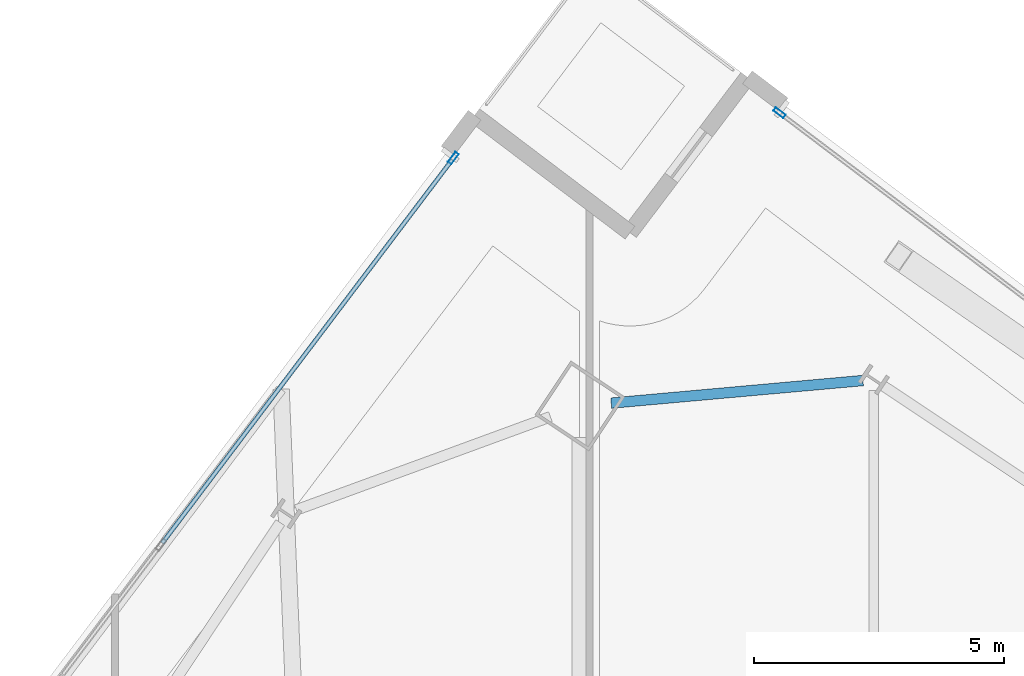
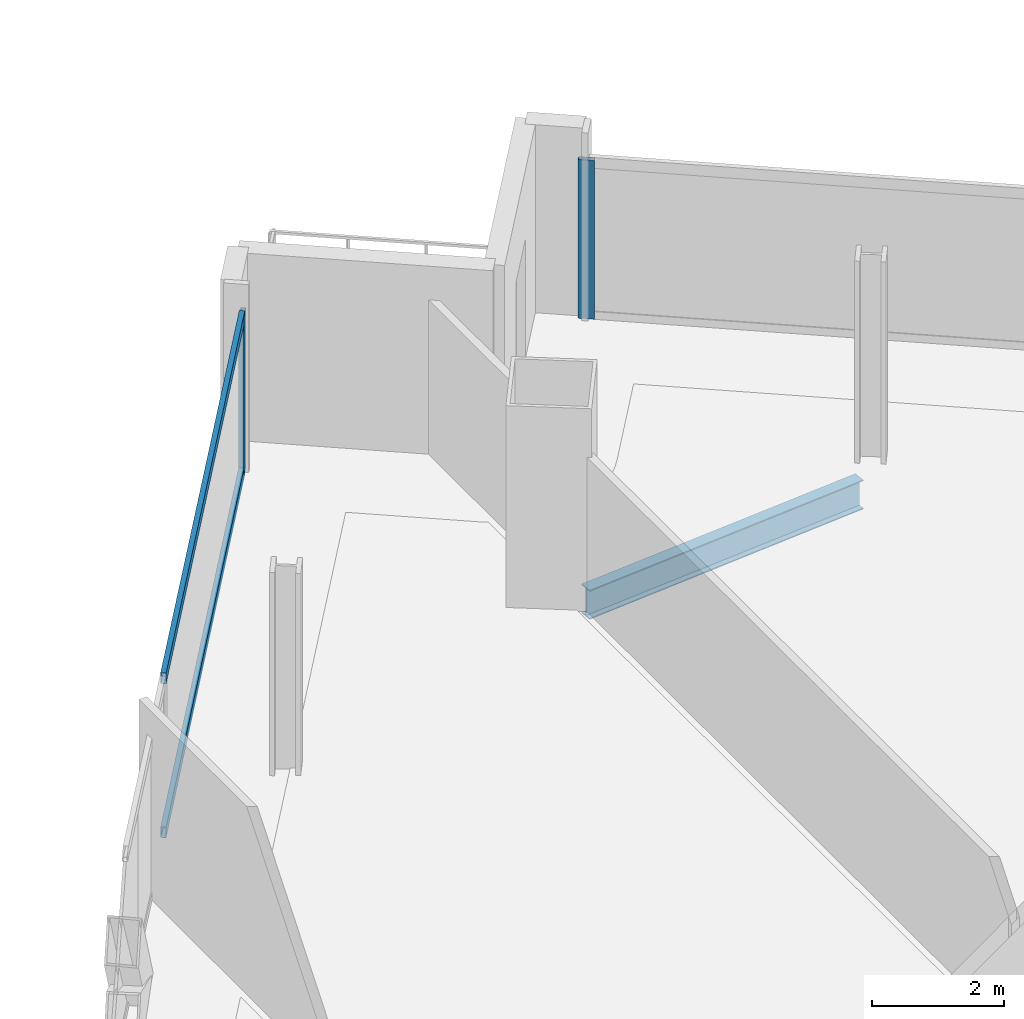
# One storey, part 20 of 34: 4 members, 1 beam, 2 elements without a shape of their own.
"""IFC4 building model written with IfcOpenShell, lengths in metres."""

from ifc_helpers import new_model, si_unit, direction, frame, origin, origin_2d, place, context, subcontext, project, spatial, hollow_rectangle, i_section, extrude, material, material_profile, profile_set, type_object, element, aggregate, save


model = new_model("IFC4")

# Units and contexts
model_context = context("Model", 3, precision=1e-05, world=origin(), true_north=direction((0.0, 1.0)))
body_context = subcontext(model_context, "Body", "Model", "MODEL_VIEW")
ifc_project = project(units=[si_unit("LENGTHUNIT", "METRE"), si_unit("AREAUNIT", "SQUARE_METRE"), si_unit("VOLUMEUNIT", "CUBIC_METRE"), si_unit("PLANEANGLEUNIT", "RADIAN"), si_unit("MASSUNIT", "GRAM", prefix="KILO")], contexts=[model_context])

# Site, building, storey
site_placement = place(None, origin())
site = spatial("IfcSite", under=ifc_project, at=site_placement, CompositionType="ELEMENT")
building_placement = place(site_placement, origin())
building = spatial("IfcBuilding", under=site, at=building_placement, Name="Haldenkirk Collegiate Tower", CompositionType="ELEMENT")
storey_placement = place(building_placement, frame((0.0, 0.0, 205.949951171875)))
storey = spatial("IfcBuildingStorey", under=building, at=storey_placement, Name="L51", CompositionType="ELEMENT", Elevation=205.949951171875)

# Beam
ifc_material_1 = material(Name="Steel ASTM A992 Grade 50", Category="steel")
ifc_material_profile_1 = material_profile(ifc_material_1, i_section(OverallWidth=0.2099609375, OverallDepth=0.537109375, WebThickness=0.010986328125, FlangeThickness=0.017333984375, at=origin_2d()), Name="W21X68")
ifc_profile_set_1 = profile_set([ifc_material_profile_1], Name="Steel ASTM A992 Grade 50")
beam_type = type_object("IfcBeamType", Name="BM-SPANDREL-W21X68", PredefinedType="SPANDREL", material=ifc_profile_set_1)
beam_placement = place(storey_placement, frame((37.9765625, 50.649169921875, -0.54833984375), z_axis=(-0.996001224794, -0.089339578066, 0.0), x_axis=(0.089339578066, -0.996001224794, 0.0)))
element("IfcBeam", 1, at=beam_placement, inside=storey, type_object=beam_type, Name="L51 perimeter spandrel beam 08", PredefinedType="SPANDREL", context=body_context, shape_type="SweptSolid", body=[
    extrude(i_section(OverallWidth=0.2099609375, OverallDepth=0.537109375, WebThickness=0.010986328125, FlangeThickness=0.017333984375, at=origin_2d()), origin(), (0.0, 0.0, 1.0), 5.06103515625),
])

# Curtain wall, member
ifc_material_2 = material(Name="Anodised architectural bronze aluminium", Category="aluminium")
curtain_wall_type = type_object("IfcCurtainWallType", Name="CW-SYS1B-CONVEX-HI", PredefinedType="USERDEFINED", material=ifc_material_2)
curtain_wall_1_placement = place(storey_placement, origin())
curtain_wall_1 = element("IfcCurtainWall", 2, at=curtain_wall_1_placement, inside=storey, type_object=curtain_wall_type, Name="L51 Upper tower high-wind convex bronze unitised curtain wall", ObjectType="UNITISED CURTAIN WALL", PredefinedType="USERDEFINED")
ifc_material_profile_2 = material_profile(ifc_material_2, hollow_rectangle(XDim=0.0849609375, YDim=0.25, WallThickness=0.0048828125, at=origin_2d()), Name="CW-MUL-1B")
ifc_profile_set_2 = profile_set([ifc_material_profile_2], Name="Anodised architectural bronze aluminium")
member_type_1 = type_object("IfcMemberType", Name="CW-MUL-1B", PredefinedType="MULLION", material=ifc_profile_set_2)
member_1_placement = place(storey_placement, frame((36.306396484375, 56.009521484375, 0.0), z_axis=(0.0, 0.0, 1.0), x_axis=(0.603207402306, 0.797584371589, 0.0)))
member_1 = element("IfcMember", 3, at=member_1_placement, type_object=member_type_1, Name="CW-1B mullion 1", PredefinedType="MULLION", context=body_context, shape_type="SweptSolid", body=[
    extrude(hollow_rectangle(XDim=0.0849609375, YDim=0.25, WallThickness=0.0048828125, at=origin_2d()), origin(), (0.0, 0.0, 1.0), 2.927978515625),
])
aggregate(curtain_wall_1, [member_1])

# Curtain wall, members
curtain_wall_2_placement = place(storey_placement, origin())
curtain_wall_2 = element("IfcCurtainWall", 4, at=curtain_wall_2_placement, inside=storey, type_object=curtain_wall_type, Name="L51 Upper tower high-wind convex bronze unitised curtain wall", ObjectType="UNITISED CURTAIN WALL", PredefinedType="USERDEFINED")
member_2_placement = place(storey_placement, frame((29.775390625, 55.103271484375, 0.0), z_axis=(0.0, 0.0, 1.0), x_axis=(-0.797584320771, 0.6032074695, 0.0)))
member_2 = element("IfcMember", 5, at=member_2_placement, type_object=member_type_1, Name="CW-1B mullion 5", PredefinedType="MULLION", context=body_context, shape_type="SweptSolid", body=[
    extrude(hollow_rectangle(XDim=0.0849609375, YDim=0.25, WallThickness=0.0048828125, at=origin_2d()), origin(), (0.0, 0.0, 1.0), 2.927978515625),
])
ifc_material_profile_3 = material_profile(ifc_material_2, hollow_rectangle(XDim=0.0849609375, YDim=0.199951171875, WallThickness=0.0048828125, at=origin_2d()), Name="CW-TRN-1B")
ifc_profile_set_3 = profile_set([ifc_material_profile_3], Name="Anodised architectural bronze aluminium")
member_type_2 = type_object("IfcMemberType", Name="CW-TRN-1B", PredefinedType="USERDEFINED", material=ifc_profile_set_3)
member_3_placement = place(storey_placement, frame((23.9453125, 47.39453125, 0.04248046875), z_axis=(0.603210246182, 0.797582220778, 0.0), x_axis=(-0.797582220778, 0.603210246182, 0.0)))
member_3 = element("IfcMember", 6, at=member_3_placement, type_object=member_type_2, Name="CW-1B transom 4.1", ObjectType="TRANSOM", PredefinedType="USERDEFINED", context=body_context, shape_type="SweptSolid", body=[
    extrude(hollow_rectangle(XDim=0.0849609375, YDim=0.199951171875, WallThickness=0.0048828125, at=origin_2d()), origin(), (0.0, 0.0, 1.0), 9.62255859375),
])
member_4_placement = place(storey_placement, frame((23.9453125, 47.39453125, 2.885498046875), z_axis=(0.603210246182, 0.797582220778, 0.0), x_axis=(-0.797582220778, 0.603210246182, 0.0)))
member_4 = element("IfcMember", 7, at=member_4_placement, type_object=member_type_2, Name="CW-1B transom 4.2", ObjectType="TRANSOM", PredefinedType="USERDEFINED", context=body_context, shape_type="SweptSolid", body=[
    extrude(hollow_rectangle(XDim=0.0849609375, YDim=0.199951171875, WallThickness=0.0048828125, at=origin_2d()), origin(), (0.0, 0.0, 1.0), 9.62255859375),
])
aggregate(curtain_wall_2, [member_2, member_3, member_4])

save(model, "model.ifc")
